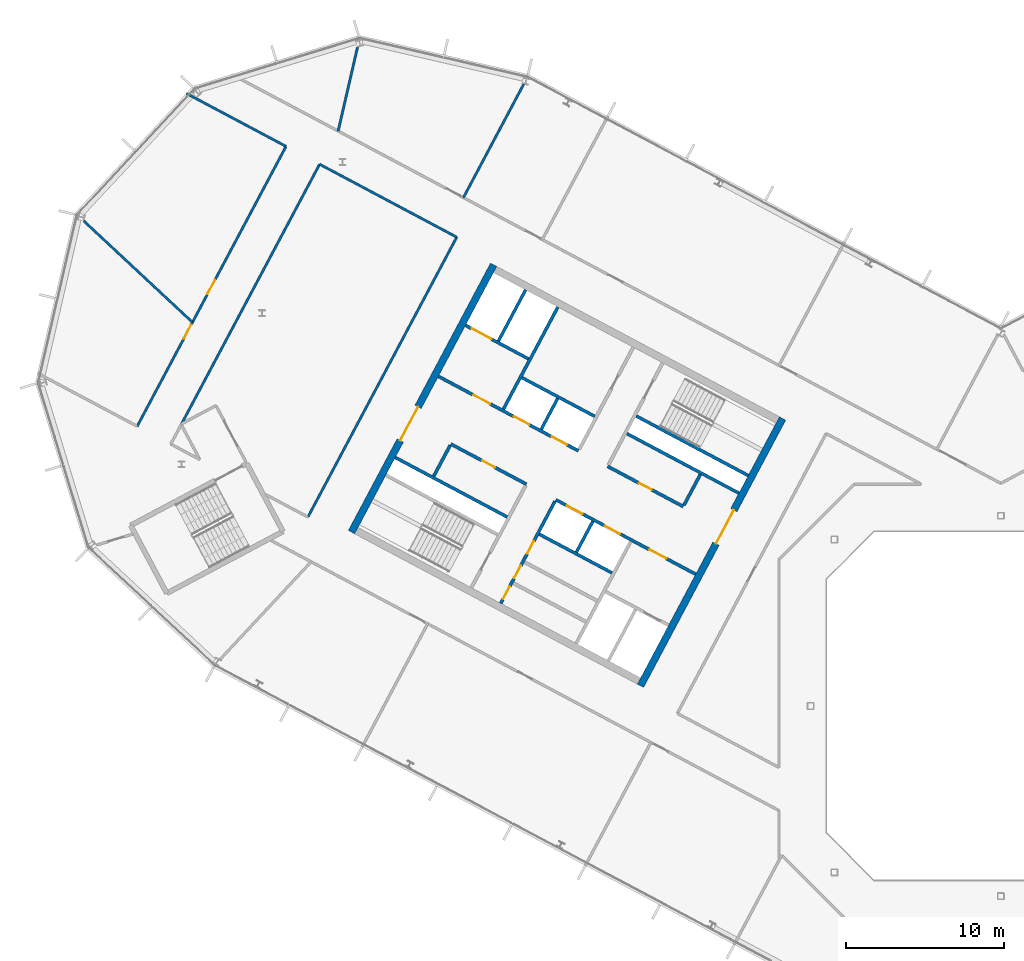
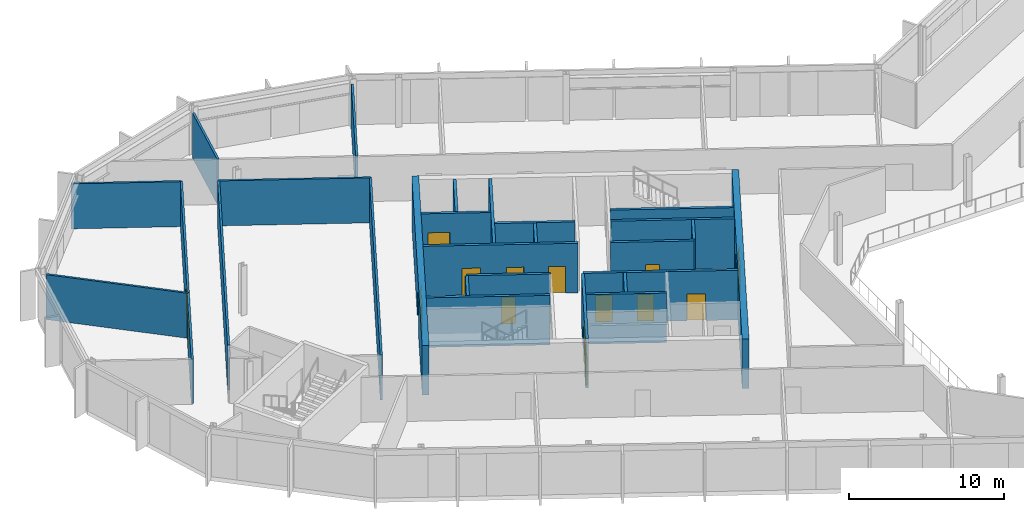
# One storey, part 14 of 26: 27 walls, 16 doors, 16 openings.
"""IFC4 building model written with IfcOpenShell, lengths in metres."""

from ifc_helpers import new_model, si_unit, direction, frame, frame_2d, origin, place, context, subcontext, project, spatial, rectangle, extrude, material, layer, layer_set, type_object, element, fill, save


model = new_model("IFC4")

# Units and contexts
model_context = context("Model", 3, precision=1e-05, world=origin(), true_north=direction((0.0, 1.0)))
body_context = subcontext(model_context, "Body", "Model", "MODEL_VIEW")
ifc_project = project(units=[si_unit("LENGTHUNIT", "METRE"), si_unit("AREAUNIT", "SQUARE_METRE"), si_unit("VOLUMEUNIT", "CUBIC_METRE"), si_unit("PLANEANGLEUNIT", "RADIAN"), si_unit("MASSUNIT", "GRAM", prefix="KILO")], contexts=[model_context])

# Site, building, storey
site_placement = place(None, origin())
site = spatial("IfcSite", under=ifc_project, at=site_placement, CompositionType="ELEMENT")
building_placement = place(site_placement, origin())
building = spatial("IfcBuilding", under=site, at=building_placement, Name="Cormorant Relay Tower", CompositionType="ELEMENT")
storey_placement = place(building_placement, frame((0.0, 0.0, 269.699951171875)))
storey = spatial("IfcBuildingStorey", under=building, at=storey_placement, Name="L60", CompositionType="ELEMENT", Elevation=269.699951171875)

# Walls
ifc_material_1 = material(Name="Concrete 40 MPa", Category="concrete")
ifc_layer_1 = layer(ifc_material_1, 0.199951171875)
ifc_layer_set_1 = layer_set([ifc_layer_1], Name="Core internal wall 200")
wall_type_1 = type_object("IfcWallType", Name="Core internal wall 200", PredefinedType="SOLIDWALL", material=ifc_layer_set_1)
wall_1_placement = place(storey_placement, frame((-25.744140625, 11.64990234375, 0.0), z_axis=(0.0, 0.0, 1.0), x_axis=(-0.469487830541, -0.882938942948, 0.0)))
element("IfcWall", 1, at=wall_1_placement, inside=storey, type_object=wall_type_1, Name="L60 core A shaft and room wall", PredefinedType="SOLIDWALL", context=body_context, shape_type="SweptSolid", body=[
    extrude(rectangle(XDim=2.2001953125, YDim=0.199951171875, at=frame_2d((1.10009765625, 0.0))), origin(), (0.0, 0.0, 1.0), 3.900146484375),
])
wall_2_placement = place(storey_placement, frame((-27.9658203125, 19.39990234375, 0.0), z_axis=(0.0, 0.0, 1.0), x_axis=(-0.4694473164, -0.882960484464, 0.0)))
element("IfcWall", 2, at=wall_2_placement, inside=storey, type_object=wall_type_1, Name="L60 core A shaft and room wall", PredefinedType="SOLIDWALL", context=body_context, shape_type="SweptSolid", body=[
    extrude(rectangle(XDim=2.199951171875, YDim=0.199951171875, at=frame_2d((1.10009765625, 0.0))), origin(), (0.0, 0.0, 1.0), 3.900146484375),
])
ifc_material_2 = material(Name="Concrete 50 MPa", Category="concrete")
ifc_layer_2 = layer(ifc_material_2, 0.199951171875)
ifc_layer_set_2 = layer_set([ifc_layer_2], Name="Core shaft wall 200")
wall_type_2 = type_object("IfcWallType", Name="Core shaft wall 200", PredefinedType="SHEAR", material=ifc_layer_set_2)
wall_3_placement = place(storey_placement, frame((-18.959716796875, 14.611328125, 0.0), z_axis=(0.0, 0.0, 1.0), x_axis=(-0.4694473164, -0.882960484464, 0.0)))
element("IfcWall", 3, at=wall_3_placement, inside=storey, type_object=wall_type_2, Name="L60 core A shaft wall", PredefinedType="SHEAR", context=body_context, shape_type="SweptSolid", body=[
    extrude(rectangle(XDim=2.199951171875, YDim=0.199951171875, at=frame_2d((1.10009765625, 0.0))), origin(), (0.0, 0.0, 1.0), 3.900146484375),
])

# Wall, openings, doors
wall_4_placement = place(storey_placement, frame((-28.128173828125, 12.91748046875, 0.0), z_axis=(0.0, 0.0, 1.0), x_axis=(-0.469454336211, -0.882956752176, 0.0)))
wall_4 = element("IfcWall", 4, at=wall_4_placement, inside=storey, type_object=wall_type_2, Name="L60 core A shaft wall", PredefinedType="SHEAR", context=body_context, shape_type="SweptSolid", body=[
    extrude(rectangle(XDim=7.300048828125, YDim=0.199951171875, at=frame_2d((3.64990234375, 0.0))), origin(), (0.0, 0.0, 1.0), 3.900146484375),
])
opening_1_placement = place(wall_4_placement, frame((2.85009765625, 0.0, 0.0)))
opening_1 = element("IfcOpeningElement", 5, at=opening_1_placement, cuts=wall_4, Name="Opening CDD-289", PredefinedType="OPENING", context=body_context, shape_type="SweptSolid", body=[
    extrude(rectangle(XDim=0.89990234375, YDim=2.10009765625, at=frame_2d((0.449951171875, 1.050048828125))), frame((0.0, 0.10986328125, 0.0), z_axis=(0.0, -1.0, 0.0), x_axis=(1.0, 0.0, 0.0)), (0.0, 0.0, 1.0), 0.219970703125),
])
opening_2_placement = place(wall_4_placement, frame((4.60009765625, 0.0, 0.0)))
opening_2 = element("IfcOpeningElement", 6, at=opening_2_placement, cuts=wall_4, Name="Opening CDD-290", PredefinedType="OPENING", context=body_context, shape_type="SweptSolid", body=[
    extrude(rectangle(XDim=0.89990234375, YDim=2.10009765625, at=frame_2d((0.449951171875, 1.050048828125))), frame((0.0, 0.10986328125, 0.0), z_axis=(0.0, -1.0, 0.0), x_axis=(1.0, 0.0, 0.0)), (0.0, 0.0, 1.0), 0.219970703125),
])
opening_3_placement = place(wall_4_placement, frame((6.10009765625, 0.0, 0.0)))
opening_3 = element("IfcOpeningElement", 7, at=opening_3_placement, cuts=wall_4, Name="Opening CDD-291", PredefinedType="OPENING", context=body_context, shape_type="SweptSolid", body=[
    extrude(rectangle(XDim=0.89990234375, YDim=2.10009765625, at=frame_2d((0.449951171875, 1.050048828125))), frame((0.0, 0.10986328125, 0.0), z_axis=(0.0, -1.0, 0.0), x_axis=(1.0, 0.0, 0.0)), (0.0, 0.0, 1.0), 0.219970703125),
])
ifc_material_3 = material(Name="Steel fire door", Category="steel")
door_type_1 = type_object("IfcDoorType", Name="Core room door 900x2100", OperationType="SINGLE_SWING_LEFT", PredefinedType="DOOR", material=ifc_material_3)
door_1_placement = place(opening_1_placement, origin())
door_1 = element("IfcDoor", 8, at=door_1_placement, inside=storey, type_object=door_type_1, Name="Core room door 900x2100", OperationType="SINGLE_SWING_LEFT", OverallHeight=2.10009765625, OverallWidth=0.89990234375, PredefinedType="DOOR", context=body_context, shape_type="SweptSolid", body=[
    extrude(rectangle(XDim=0.89990234375, YDim=2.10009765625, at=frame_2d((0.449951171875, 1.050048828125))), frame((0.0, 0.02490234375, 0.0), z_axis=(0.0, -1.0, 0.0), x_axis=(1.0, 0.0, 0.0)), (0.0, 0.0, 1.0), 0.050048828125),
])
fill(opening_1, door_1)
door_2_placement = place(opening_2_placement, origin())
door_2 = element("IfcDoor", 9, at=door_2_placement, inside=storey, type_object=door_type_1, Name="Core room door 900x2100", OperationType="SINGLE_SWING_LEFT", OverallHeight=2.10009765625, OverallWidth=0.89990234375, PredefinedType="DOOR", context=body_context, shape_type="SweptSolid", body=[
    extrude(rectangle(XDim=0.89990234375, YDim=2.10009765625, at=frame_2d((0.449951171875, 1.050048828125))), frame((0.0, 0.02490234375, 0.0), z_axis=(0.0, -1.0, 0.0), x_axis=(1.0, 0.0, 0.0)), (0.0, 0.0, 1.0), 0.050048828125),
])
fill(opening_2, door_2)
door_3_placement = place(opening_3_placement, origin())
door_3 = element("IfcDoor", 10, at=door_3_placement, inside=storey, type_object=door_type_1, Name="Core room door 900x2100", OperationType="SINGLE_SWING_LEFT", OverallHeight=2.10009765625, OverallWidth=0.89990234375, PredefinedType="DOOR", context=body_context, shape_type="SweptSolid", body=[
    extrude(rectangle(XDim=0.89990234375, YDim=2.10009765625, at=frame_2d((0.449951171875, 1.050048828125))), frame((0.0, 0.02490234375, 0.0), z_axis=(0.0, -1.0, 0.0), x_axis=(1.0, 0.0, 0.0)), (0.0, 0.0, 1.0), 0.050048828125),
])
fill(opening_3, door_3)

# Walls
wall_5_placement = place(storey_placement, frame((-27.955322265625, 25.170654296875, 0.0), z_axis=(0.0, 0.0, 1.0), x_axis=(-0.469480409012, -0.88294288918, 0.0)))
element("IfcWall", 11, at=wall_5_placement, inside=storey, type_object=wall_type_2, Name="L60 core A shaft wall", PredefinedType="SHEAR", context=body_context, shape_type="SweptSolid", body=[
    extrude(rectangle(XDim=7.300048828125, YDim=0.199951171875, at=frame_2d((3.64990234375, 0.0))), origin(), (0.0, 0.0, 1.0), 3.900146484375),
])
wall_6_placement = place(storey_placement, frame((-34.750244140625, 16.4384765625, 0.0), z_axis=(0.0, 0.0, 1.0), x_axis=(-0.469401318492, -0.882984938828, 0.0)))
element("IfcWall", 12, at=wall_6_placement, inside=storey, type_object=wall_type_2, Name="L60 core A shaft wall", PredefinedType="SHEAR", context=body_context, shape_type="SweptSolid", body=[
    extrude(rectangle(XDim=2.199951171875, YDim=0.199951171875, at=frame_2d((1.10009765625, 0.0))), origin(), (0.0, 0.0, 1.0), 3.900146484375),
])
wall_7_placement = place(storey_placement, frame((-29.986083984375, 26.250244140625, 0.0), z_axis=(0.0, 0.0, 1.0), x_axis=(-0.469494272526, -0.882935517501, 0.0)))
element("IfcWall", 13, at=wall_7_placement, inside=storey, type_object=wall_type_2, Name="L60 core A shaft wall", PredefinedType="SHEAR", context=body_context, shape_type="SweptSolid", body=[
    extrude(rectangle(XDim=3.64990234375, YDim=0.199951171875, at=frame_2d((1.824951171875, 0.0))), origin(), (0.0, 0.0, 1.0), 3.900146484375),
])
wall_8_placement = place(storey_placement, frame((-15.94189453125, 14.53564453125, 0.0), z_axis=(0.0, 0.0, 1.0), x_axis=(-0.882946947542, 0.469472776449, 0.0)))
element("IfcWall", 14, at=wall_8_placement, inside=storey, type_object=wall_type_2, Name="L60 core A shaft wall", PredefinedType="SHEAR", context=body_context, shape_type="SweptSolid", body=[
    extrude(rectangle(XDim=8.000244140625, YDim=0.199951171875, at=frame_2d((4.0, 0.0))), origin(), (0.0, 0.0, 1.0), 3.900146484375),
])

# Wall, opening, door
wall_9_placement = place(storey_placement, frame((-29.80419921875, 21.906494140625, 0.0), z_axis=(0.0, 0.0, 1.0), x_axis=(-0.882960433586, 0.469447412093, 0.0)))
wall_9 = element("IfcWall", 15, at=wall_9_placement, inside=storey, type_object=wall_type_2, Name="L60 core A shaft wall", PredefinedType="SHEAR", context=body_context, shape_type="SweptSolid", body=[
    extrude(rectangle(XDim=4.5, YDim=0.199951171875, at=frame_2d((2.25, 0.0))), origin(), (0.0, 0.0, 1.0), 3.900146484375),
])
opening_4_placement = place(wall_9_placement, frame((2.64990234375, 0.0, 0.0)))
opening_4 = element("IfcOpeningElement", 16, at=opening_4_placement, cuts=wall_9, Name="Opening LD3-015", PredefinedType="OPENING", context=body_context, shape_type="SweptSolid", body=[
    extrude(rectangle(XDim=1.39990234375, YDim=2.39990234375, at=frame_2d((0.699951171875, 1.199951171875))), frame((0.0, 0.10986328125, 0.0), z_axis=(0.0, -1.0, 0.0), x_axis=(1.0, 0.0, 0.0)), (0.0, 0.0, 1.0), 0.219970703125),
])
ifc_material_4 = material(Name="Stainless steel 316", Category="steel")
door_type_2 = type_object("IfcDoorType", Name="Lift landing door 1400x2400", OperationType="DOUBLE_DOOR_SLIDING", PredefinedType="DOOR", material=ifc_material_4)
door_4_placement = place(opening_4_placement, origin())
door_4 = element("IfcDoor", 17, at=door_4_placement, inside=storey, type_object=door_type_2, Name="SV1 landing door", OperationType="DOUBLE_DOOR_SLIDING", OverallHeight=2.39990234375, OverallWidth=1.39990234375, PredefinedType="DOOR", context=body_context, shape_type="SweptSolid", body=[
    extrude(rectangle(XDim=1.39990234375, YDim=2.39990234375, at=frame_2d((0.699951171875, 1.199951171875))), frame((0.0, 0.02490234375, 0.0), z_axis=(0.0, -1.0, 0.0), x_axis=(1.0, 0.0, 0.0)), (0.0, 0.0, 1.0), 0.050048828125),
])
fill(opening_4, door_4)

# Walls
wall_10_placement = place(storey_placement, frame((-16.52880859375, 13.43212890625, 0.0), z_axis=(0.0, 0.0, 1.0), x_axis=(-0.88295287151, 0.469461634952, 0.0)))
element("IfcWall", 18, at=wall_10_placement, inside=storey, type_object=wall_type_2, Name="L60 core A shaft wall", PredefinedType="SHEAR", context=body_context, shape_type="SweptSolid", body=[
    extrude(rectangle(XDim=7.999755859375, YDim=0.199951171875, at=frame_2d((4.0, 0.0))), origin(), (0.0, 0.0, 1.0), 3.900146484375),
])
wall_11_placement = place(storey_placement, frame((-25.623046875, 18.267578125, 0.0), z_axis=(0.0, 0.0, 1.0), x_axis=(-0.882953967957, 0.469459572775, 0.0)))
element("IfcWall", 19, at=wall_11_placement, inside=storey, type_object=wall_type_2, Name="L60 core A shaft wall", PredefinedType="SHEAR", context=body_context, shape_type="SweptSolid", body=[
    extrude(rectangle(XDim=5.199951171875, YDim=0.199951171875, at=frame_2d((2.60009765625, 0.0))), origin(), (0.0, 0.0, 1.0), 3.900146484375),
])

# Wall, opening, door
wall_12_placement = place(storey_placement, frame((-20.03955078125, 12.58056640625, 0.0), z_axis=(0.0, 0.0, 1.0), x_axis=(-0.882942972946, 0.469480251476, 0.0)))
wall_12 = element("IfcWall", 20, at=wall_12_placement, inside=storey, type_object=wall_type_2, Name="L60 core A shaft wall", PredefinedType="SHEAR", context=body_context, shape_type="SweptSolid", body=[
    extrude(rectangle(XDim=5.39990234375, YDim=0.199951171875, at=frame_2d((2.699951171875, 0.0))), origin(), (0.0, 0.0, 1.0), 3.900146484375),
])
opening_5_placement = place(wall_12_placement, frame((2.25, 0.0, 0.0)))
opening_5 = element("IfcOpeningElement", 21, at=opening_5_placement, cuts=wall_12, Name="Opening CDD-319", PredefinedType="OPENING", context=body_context, shape_type="SweptSolid", body=[
    extrude(rectangle(XDim=0.89990234375, YDim=2.10009765625, at=frame_2d((0.449951171875, 1.050048828125))), frame((0.0, 0.10986328125, 0.0), z_axis=(0.0, -1.0, 0.0), x_axis=(1.0, 0.0, 0.0)), (0.0, 0.0, 1.0), 0.219970703125),
])
door_5_placement = place(opening_5_placement, origin())
door_5 = element("IfcDoor", 22, at=door_5_placement, inside=storey, type_object=door_type_1, Name="Core room door 900x2100", OperationType="SINGLE_SWING_LEFT", OverallHeight=2.10009765625, OverallWidth=0.89990234375, PredefinedType="DOOR", context=body_context, shape_type="SweptSolid", body=[
    extrude(rectangle(XDim=0.89990234375, YDim=2.10009765625, at=frame_2d((0.449951171875, 1.050048828125))), frame((0.0, 0.02490234375, 0.0), z_axis=(0.0, -1.0, 0.0), x_axis=(1.0, 0.0, 0.0)), (0.0, 0.0, 1.0), 0.050048828125),
])
fill(opening_5, door_5)

# Wall, openings, doors
wall_13_placement = place(storey_placement, frame((-26.66162109375, 16.1015625, 0.0), z_axis=(0.0, 0.0, 1.0), x_axis=(-0.882940221191, 0.469485426614, 0.0)))
wall_13 = element("IfcWall", 23, at=wall_13_placement, inside=storey, type_object=wall_type_2, Name="L60 core A shaft wall", PredefinedType="SHEAR", context=body_context, shape_type="SweptSolid", body=[
    extrude(rectangle(XDim=10.0, YDim=0.199951171875, at=frame_2d((5.0, 0.0))), origin(), (0.0, 0.0, 1.0), 3.900146484375),
])
opening_6_placement = place(wall_13_placement, frame((6.300048828125, 0.0, 0.0)))
opening_6 = element("IfcOpeningElement", 24, at=opening_6_placement, cuts=wall_13, Name="Opening CDC-034", PredefinedType="OPENING", context=body_context, shape_type="SweptSolid", body=[
    extrude(rectangle(XDim=1.199951171875, YDim=2.10009765625, at=frame_2d((0.60009765625, 1.050048828125))), frame((0.0, 0.10986328125, 0.0), z_axis=(0.0, -1.0, 0.0), x_axis=(1.0, 0.0, 0.0)), (0.0, 0.0, 1.0), 0.219970703125),
])
opening_7_placement = place(wall_13_placement, frame((0.800048828125, 0.0, 0.0)))
opening_7 = element("IfcOpeningElement", 25, at=opening_7_placement, cuts=wall_13, Name="Opening LD1-067", PredefinedType="OPENING", context=body_context, shape_type="SweptSolid", body=[
    extrude(rectangle(XDim=1.10009765625, YDim=2.10009765625, at=frame_2d((0.550048828125, 1.050048828125))), frame((0.0, 0.10986328125, 0.0), z_axis=(0.0, -1.0, 0.0), x_axis=(1.0, 0.0, 0.0)), (0.0, 0.0, 1.0), 0.219970703125),
])
opening_8_placement = place(wall_13_placement, frame((3.5, 0.0, 0.0)))
opening_8 = element("IfcOpeningElement", 26, at=opening_8_placement, cuts=wall_13, Name="Opening LD1-068", PredefinedType="OPENING", context=body_context, shape_type="SweptSolid", body=[
    extrude(rectangle(XDim=1.10009765625, YDim=2.10009765625, at=frame_2d((0.550048828125, 1.050048828125))), frame((0.0, 0.10986328125, 0.0), z_axis=(0.0, -1.0, 0.0), x_axis=(1.0, 0.0, 0.0)), (0.0, 0.0, 1.0), 0.219970703125),
])
ifc_material_5 = material(Name="Steel fire door", Category="steel")
door_type_3 = type_object("IfcDoorType", Name="Core lobby door 1200x2100", OperationType="SINGLE_SWING_LEFT", PredefinedType="DOOR", material=ifc_material_5)
door_6_placement = place(opening_6_placement, origin())
door_6 = element("IfcDoor", 27, at=door_6_placement, inside=storey, type_object=door_type_3, Name="Core lobby door 1200x2100", OperationType="SINGLE_SWING_LEFT", OverallHeight=2.10009765625, OverallWidth=1.199951171875, PredefinedType="DOOR", context=body_context, shape_type="SweptSolid", body=[
    extrude(rectangle(XDim=1.199951171875, YDim=2.10009765625, at=frame_2d((0.60009765625, 1.050048828125))), frame((0.0, 0.02490234375, 0.0), z_axis=(0.0, -1.0, 0.0), x_axis=(1.0, 0.0, 0.0)), (0.0, 0.0, 1.0), 0.050048828125),
])
fill(opening_6, door_6)
ifc_material_6 = material(Name="Stainless steel 316", Category="steel")
door_type_4 = type_object("IfcDoorType", Name="Lift landing door 1100x2100", OperationType="DOUBLE_DOOR_SLIDING", PredefinedType="DOOR", material=ifc_material_6)
door_7_placement = place(opening_7_placement, origin())
door_7 = element("IfcDoor", 28, at=door_7_placement, inside=storey, type_object=door_type_4, Name="HR3 landing door", OperationType="DOUBLE_DOOR_SLIDING", OverallHeight=2.10009765625, OverallWidth=1.10009765625, PredefinedType="DOOR", context=body_context, shape_type="SweptSolid", body=[
    extrude(rectangle(XDim=1.10009765625, YDim=2.10009765625, at=frame_2d((0.550048828125, 1.050048828125))), frame((0.0, 0.02490234375, 0.0), z_axis=(0.0, -1.0, 0.0), x_axis=(1.0, 0.0, 0.0)), (0.0, 0.0, 1.0), 0.050048828125),
])
fill(opening_7, door_7)
door_8_placement = place(opening_8_placement, origin())
door_8 = element("IfcDoor", 29, at=door_8_placement, inside=storey, type_object=door_type_4, Name="HR4 landing door", OperationType="DOUBLE_DOOR_SLIDING", OverallHeight=2.10009765625, OverallWidth=1.10009765625, PredefinedType="DOOR", context=body_context, shape_type="SweptSolid", body=[
    extrude(rectangle(XDim=1.10009765625, YDim=2.10009765625, at=frame_2d((0.550048828125, 1.050048828125))), frame((0.0, 0.02490234375, 0.0), z_axis=(0.0, -1.0, 0.0), x_axis=(1.0, 0.0, 0.0)), (0.0, 0.0, 1.0), 0.050048828125),
])
fill(opening_8, door_8)

wall_14_placement = place(storey_placement, frame((-19.251708984375, 8.31103515625, 0.0), z_axis=(0.0, 0.0, 1.0), x_axis=(-0.882955722218, 0.469456273365, 0.0)))
wall_14 = element("IfcWall", 30, at=wall_14_placement, inside=storey, type_object=wall_type_2, Name="L60 core A shaft wall", PredefinedType="SHEAR", context=body_context, shape_type="SweptSolid", body=[
    extrude(rectangle(XDim=10.0, YDim=0.199951171875, at=frame_2d((5.0, 0.0))), origin(), (0.0, 0.0, 1.0), 3.900146484375),
])
opening_9_placement = place(wall_14_placement, frame((2.10009765625, 0.0, 0.0)))
opening_9 = element("IfcOpeningElement", 31, at=opening_9_placement, cuts=wall_14, Name="Opening CDC-033", PredefinedType="OPENING", context=body_context, shape_type="SweptSolid", body=[
    extrude(rectangle(XDim=1.199951171875, YDim=2.10009765625, at=frame_2d((0.60009765625, 1.050048828125))), frame((0.0, 0.10986328125, 0.0), z_axis=(0.0, -1.0, 0.0), x_axis=(1.0, 0.0, 0.0)), (0.0, 0.0, 1.0), 0.219970703125),
])
opening_10_placement = place(wall_14_placement, frame((5.39990234375, 0.0, 0.0)))
opening_10 = element("IfcOpeningElement", 32, at=opening_10_placement, cuts=wall_14, Name="Opening LD1-065", PredefinedType="OPENING", context=body_context, shape_type="SweptSolid", body=[
    extrude(rectangle(XDim=1.10009765625, YDim=2.10009765625, at=frame_2d((0.550048828125, 1.050048828125))), frame((0.0, 0.10986328125, 0.0), z_axis=(0.0, -1.0, 0.0), x_axis=(1.0, 0.0, 0.0)), (0.0, 0.0, 1.0), 0.219970703125),
])
opening_11_placement = place(wall_14_placement, frame((8.10009765625, 0.0, 0.0)))
opening_11 = element("IfcOpeningElement", 33, at=opening_11_placement, cuts=wall_14, Name="Opening LD1-066", PredefinedType="OPENING", context=body_context, shape_type="SweptSolid", body=[
    extrude(rectangle(XDim=1.10009765625, YDim=2.10009765625, at=frame_2d((0.550048828125, 1.050048828125))), frame((0.0, 0.10986328125, 0.0), z_axis=(0.0, -1.0, 0.0), x_axis=(1.0, 0.0, 0.0)), (0.0, 0.0, 1.0), 0.219970703125),
])
door_9_placement = place(opening_9_placement, origin())
door_9 = element("IfcDoor", 34, at=door_9_placement, inside=storey, type_object=door_type_3, Name="Core lobby door 1200x2100", OperationType="SINGLE_SWING_RIGHT", OverallHeight=2.10009765625, OverallWidth=1.199951171875, PredefinedType="DOOR", context=body_context, shape_type="SweptSolid", body=[
    extrude(rectangle(XDim=1.199951171875, YDim=2.10009765625, at=frame_2d((0.60009765625, 1.050048828125))), frame((0.0, 0.02490234375, 0.0), z_axis=(0.0, -1.0, 0.0), x_axis=(1.0, 0.0, 0.0)), (0.0, 0.0, 1.0), 0.050048828125),
])
fill(opening_9, door_9)
door_10_placement = place(opening_10_placement, origin())
door_10 = element("IfcDoor", 35, at=door_10_placement, inside=storey, type_object=door_type_4, Name="HR1 landing door", OperationType="DOUBLE_DOOR_SLIDING", OverallHeight=2.10009765625, OverallWidth=1.10009765625, PredefinedType="DOOR", context=body_context, shape_type="SweptSolid", body=[
    extrude(rectangle(XDim=1.10009765625, YDim=2.10009765625, at=frame_2d((0.550048828125, 1.050048828125))), frame((0.0, 0.02490234375, 0.0), z_axis=(0.0, -1.0, 0.0), x_axis=(1.0, 0.0, 0.0)), (0.0, 0.0, 1.0), 0.050048828125),
])
fill(opening_10, door_10)
door_11_placement = place(opening_11_placement, origin())
door_11 = element("IfcDoor", 36, at=door_11_placement, inside=storey, type_object=door_type_4, Name="HR2 landing door", OperationType="DOUBLE_DOOR_SLIDING", OverallHeight=2.10009765625, OverallWidth=1.10009765625, PredefinedType="DOOR", context=body_context, shape_type="SweptSolid", body=[
    extrude(rectangle(XDim=1.10009765625, YDim=2.10009765625, at=frame_2d((0.550048828125, 1.050048828125))), frame((0.0, 0.02490234375, 0.0), z_axis=(0.0, -1.0, 0.0), x_axis=(1.0, 0.0, 0.0)), (0.0, 0.0, 1.0), 0.050048828125),
])
fill(opening_11, door_11)

# Wall, opening, door
wall_15_placement = place(storey_placement, frame((-29.935302734375, 13.991455078125, 0.0), z_axis=(0.0, 0.0, 1.0), x_axis=(-0.882952937579, 0.469461510692, 0.0)))
wall_15 = element("IfcWall", 37, at=wall_15_placement, inside=storey, type_object=wall_type_2, Name="L60 core A shaft wall", PredefinedType="SHEAR", context=body_context, shape_type="SweptSolid", body=[
    extrude(rectangle(XDim=5.400146484375, YDim=0.199951171875, at=frame_2d((2.7001953125, 0.0))), origin(), (0.0, 0.0, 1.0), 3.900146484375),
])
opening_12_placement = place(wall_15_placement, frame((2.25, 0.0, 0.0)))
opening_12 = element("IfcOpeningElement", 38, at=opening_12_placement, cuts=wall_15, Name="Opening CDD-318", PredefinedType="OPENING", context=body_context, shape_type="SweptSolid", body=[
    extrude(rectangle(XDim=0.89990234375, YDim=2.10009765625, at=frame_2d((0.449951171875, 1.050048828125))), frame((0.0, 0.10986328125, 0.0), z_axis=(0.0, -1.0, 0.0), x_axis=(1.0, 0.0, 0.0)), (0.0, 0.0, 1.0), 0.219970703125),
])
door_12_placement = place(opening_12_placement, origin())
door_12 = element("IfcDoor", 39, at=door_12_placement, inside=storey, type_object=door_type_1, Name="Core room door 900x2100", OperationType="SINGLE_SWING_LEFT", OverallHeight=2.10009765625, OverallWidth=0.89990234375, PredefinedType="DOOR", context=body_context, shape_type="SweptSolid", body=[
    extrude(rectangle(XDim=0.89990234375, YDim=2.10009765625, at=frame_2d((0.449951171875, 1.050048828125))), frame((0.0, 0.02490234375, 0.0), z_axis=(0.0, -1.0, 0.0), x_axis=(1.0, 0.0, 0.0)), (0.0, 0.0, 1.0), 0.050048828125),
])
fill(opening_12, door_12)

# Walls
wall_16_placement = place(storey_placement, frame((-24.5283203125, 8.3984375, 0.0), z_axis=(0.0, 0.0, 1.0), x_axis=(-0.882953967957, 0.469459572775, 0.0)))
element("IfcWall", 40, at=wall_16_placement, inside=storey, type_object=wall_type_2, Name="L60 core A shaft wall", PredefinedType="SHEAR", context=body_context, shape_type="SweptSolid", body=[
    extrude(rectangle(XDim=5.199951171875, YDim=0.199951171875, at=frame_2d((2.60009765625, 0.0))), origin(), (0.0, 0.0, 1.0), 3.900146484375),
])
wall_17_placement = place(storey_placement, frame((-31.150390625, 11.91943359375, 0.0), z_axis=(0.0, 0.0, 1.0), x_axis=(-0.882940221191, 0.469485426614, 0.0)))
element("IfcWall", 41, at=wall_17_placement, inside=storey, type_object=wall_type_2, Name="L60 core A shaft wall", PredefinedType="SHEAR", context=body_context, shape_type="SweptSolid", body=[
    extrude(rectangle(XDim=8.0, YDim=0.199951171875, at=frame_2d((4.0, 0.0))), origin(), (0.0, 0.0, 1.0), 3.900146484375),
])

# Wall, opening, door
ifc_material_7 = material(Name="Concrete 50 MPa", Category="concrete")
ifc_layer_3 = layer(ifc_material_7, 0.449951171875)
ifc_layer_set_3 = layer_set([ifc_layer_3], Name="Core wall 450")
wall_type_3 = type_object("IfcWallType", Name="Core wall 450", PredefinedType="SHEAR", material=ifc_layer_set_3)
wall_18_placement = place(storey_placement, frame((-13.771484375, 18.138427734375, 0.0), z_axis=(0.0, 0.0, 1.0), x_axis=(-0.469467968382, -0.882949504028, 0.0)))
wall_18 = element("IfcWall", 42, at=wall_18_placement, inside=storey, type_object=wall_type_3, Name="L60 core A wall", PredefinedType="SHEAR", context=body_context, shape_type="SweptSolid", body=[
    extrude(rectangle(XDim=19.099853515625, YDim=0.449951171875, at=frame_2d((9.5498046875, 0.0))), origin(), (0.0, 0.0, 1.0), 3.900146484375),
])
opening_13_placement = place(wall_18_placement, frame((6.550048828125, 0.0, 0.0)))
opening_13 = element("IfcOpeningElement", 43, at=opening_13_placement, cuts=wall_18, Name="Opening CDA-054", PredefinedType="OPENING", context=body_context, shape_type="SweptSolid", body=[
    extrude(rectangle(XDim=2.39990234375, YDim=2.39990234375, at=frame_2d((1.199951171875, 1.199951171875))), frame((0.0, 0.23486328125, 0.0), z_axis=(0.0, -1.0, 0.0), x_axis=(1.0, 0.0, 0.0)), (0.0, 0.0, 1.0), 0.469970703125),
])
ifc_material_8 = material(Name="Steel fire door", Category="steel")
door_type_5 = type_object("IfcDoorType", Name="Core lobby door 2400x2400", OperationType="DOUBLE_DOOR_SINGLE_SWING", PredefinedType="DOOR", material=ifc_material_8)
door_13_placement = place(opening_13_placement, frame((2.39990234375, 0.0, 0.0), z_axis=(0.0, 0.0, 1.0), x_axis=(-1.0, 0.0, 0.0)))
door_13 = element("IfcDoor", 44, at=door_13_placement, inside=storey, type_object=door_type_5, Name="Core lobby door 2400x2400", OperationType="DOUBLE_DOOR_SINGLE_SWING", OverallHeight=2.39990234375, OverallWidth=2.39990234375, PredefinedType="DOOR", context=body_context, shape_type="SweptSolid", body=[
    extrude(rectangle(XDim=2.39990234375, YDim=2.39990234375, at=frame_2d((1.199951171875, 1.199951171875))), frame((0.0, 0.02490234375, 0.0), z_axis=(0.0, -1.0, 0.0), x_axis=(1.0, 0.0, 0.0)), (0.0, 0.0, 1.0), 0.050048828125),
])
fill(opening_13, door_13)

wall_19_placement = place(storey_placement, frame((-32.00439453125, 27.8330078125, 0.0), z_axis=(0.0, 0.0, 1.0), x_axis=(-0.469467968382, -0.882949504028, 0.0)))
wall_19 = element("IfcWall", 45, at=wall_19_placement, inside=storey, type_object=wall_type_3, Name="L60 core A wall", PredefinedType="SHEAR", context=body_context, shape_type="SweptSolid", body=[
    extrude(rectangle(XDim=19.099853515625, YDim=0.449951171875, at=frame_2d((9.5498046875, 0.0))), origin(), (0.0, 0.0, 1.0), 3.900146484375),
])
opening_14_placement = place(wall_19_placement, frame((10.14990234375, 0.0, 0.0)))
opening_14 = element("IfcOpeningElement", 46, at=opening_14_placement, cuts=wall_19, Name="Opening CDA-051", PredefinedType="OPENING", context=body_context, shape_type="SweptSolid", body=[
    extrude(rectangle(XDim=2.39990234375, YDim=2.39990234375, at=frame_2d((1.199951171875, 1.199951171875))), frame((0.0, 0.23486328125, 0.0), z_axis=(0.0, -1.0, 0.0), x_axis=(1.0, 0.0, 0.0)), (0.0, 0.0, 1.0), 0.469970703125),
])
door_14_placement = place(opening_14_placement, origin())
door_14 = element("IfcDoor", 47, at=door_14_placement, inside=storey, type_object=door_type_5, Name="Core lobby door 2400x2400", OperationType="DOUBLE_DOOR_SINGLE_SWING", OverallHeight=2.39990234375, OverallWidth=2.39990234375, PredefinedType="DOOR", context=body_context, shape_type="SweptSolid", body=[
    extrude(rectangle(XDim=2.39990234375, YDim=2.39990234375, at=frame_2d((1.199951171875, 1.199951171875))), frame((0.0, 0.02490234375, 0.0), z_axis=(0.0, -1.0, 0.0), x_axis=(1.0, 0.0, 0.0)), (0.0, 0.0, 1.0), 0.050048828125),
])
fill(opening_14, door_14)

# Wall, openings, doors
ifc_material_9 = material(Name="Gypsum board fire partition")
ifc_layer_4 = layer(ifc_material_9, 0.14990234375)
ifc_layer_set_4 = layer_set([ifc_layer_4], Name="Corridor partition 150 EI 60")
wall_type_4 = type_object("IfcWallType", Name="Corridor partition 150 EI 60", PredefinedType="PARTITIONING", material=ifc_layer_set_4)
wall_20_placement = place(storey_placement, frame((-54.492919921875, 17.64892578125, 0.0), z_axis=(0.0, 0.0, 1.0), x_axis=(0.469446756585, 0.882960782103, 0.0)))
wall_20 = element("IfcWall", 48, at=wall_20_placement, inside=storey, type_object=wall_type_4, Name="wall/L60/part/001", PredefinedType="PARTITIONING", context=body_context, shape_type="SweptSolid", body=[
    extrude(rectangle(XDim=20.0, YDim=0.14990234375, at=frame_2d((10.0, 0.0))), origin(), (0.0, 0.0, 1.0), 3.5400390625),
])
opening_15_placement = place(wall_20_placement, frame((9.449951171875, 0.0, 0.0)))
opening_15 = element("IfcOpeningElement", 49, at=opening_15_placement, cuts=wall_20, Name="Opening DS-200", PredefinedType="OPENING", context=body_context, shape_type="SweptSolid", body=[
    extrude(rectangle(XDim=1.0, YDim=2.10009765625, at=frame_2d((0.5, 1.050048828125))), frame((0.0, 0.0849609375, 0.0), z_axis=(0.0, -1.0, 0.0), x_axis=(1.0, 0.0, 0.0)), (0.0, 0.0, 1.0), 0.169921875),
])
opening_16_placement = place(wall_20_placement, frame((6.25, 0.0, 0.0)))
opening_16 = element("IfcOpeningElement", 50, at=opening_16_placement, cuts=wall_20, Name="Opening DS-201", PredefinedType="OPENING", context=body_context, shape_type="SweptSolid", body=[
    extrude(rectangle(XDim=1.0, YDim=2.10009765625, at=frame_2d((0.5, 1.050048828125))), frame((0.0, 0.0849609375, 0.0), z_axis=(0.0, -1.0, 0.0), x_axis=(1.0, 0.0, 0.0)), (0.0, 0.0, 1.0), 0.169921875),
])
ifc_material_10 = material(Name="Timber door leaf", Category="wood")
door_type_6 = type_object("IfcDoorType", Name="Suite door 1000x2100", OperationType="SINGLE_SWING_LEFT", PredefinedType="DOOR", material=ifc_material_10)
door_15_placement = place(opening_15_placement, origin())
door_15 = element("IfcDoor", 51, at=door_15_placement, inside=storey, type_object=door_type_6, Name="door/L60/001", OperationType="SINGLE_SWING_RIGHT", OverallHeight=2.10009765625, OverallWidth=1.0, PredefinedType="DOOR", context=body_context, shape_type="SweptSolid", body=[
    extrude(rectangle(XDim=1.0, YDim=2.10009765625, at=frame_2d((0.5, 1.050048828125))), frame((0.0, 0.02490234375, 0.0), z_axis=(0.0, -1.0, 0.0), x_axis=(1.0, 0.0, 0.0)), (0.0, 0.0, 1.0), 0.050048828125),
])
fill(opening_15, door_15)
door_16_placement = place(opening_16_placement, origin())
door_16 = element("IfcDoor", 52, at=door_16_placement, inside=storey, type_object=door_type_6, Name="door/L60/002", OperationType="SINGLE_SWING_RIGHT", OverallHeight=2.10009765625, OverallWidth=1.0, PredefinedType="DOOR", context=body_context, shape_type="SweptSolid", body=[
    extrude(rectangle(XDim=1.0, YDim=2.10009765625, at=frame_2d((0.5, 1.050048828125))), frame((0.0, 0.02490234375, 0.0), z_axis=(0.0, -1.0, 0.0), x_axis=(1.0, 0.0, 0.0)), (0.0, 0.0, 1.0), 0.050048828125),
])
fill(opening_16, door_16)

# Walls
wall_21_placement = place(storey_placement, frame((-45.10400390625, 35.30810546875, 0.0), z_axis=(0.0, 0.0, 1.0), x_axis=(-0.883009246848, 0.469355590125, 0.0)))
element("IfcWall", 53, at=wall_21_placement, inside=storey, type_object=wall_type_4, Name="wall/L60/part/002", PredefinedType="PARTITIONING", context=body_context, shape_type="SweptSolid", body=[
    extrude(rectangle(XDim=7.126708984375, YDim=0.14990234375, at=frame_2d((3.5634765625, 0.0))), origin(), (0.0, 0.0, 1.0), 3.5400390625),
])
wall_22_placement = place(storey_placement, frame((-51.695068359375, 17.798095703125, 0.0), z_axis=(0.0, 0.0, 1.0), x_axis=(0.469483567396, 0.88294120979, 0.0)))
element("IfcWall", 54, at=wall_22_placement, inside=storey, type_object=wall_type_4, Name="wall/L60/part/012", PredefinedType="PARTITIONING", context=body_context, shape_type="SweptSolid", body=[
    extrude(rectangle(XDim=18.554931640625, YDim=0.14990234375, at=frame_2d((9.27734375, 0.0))), origin(), (0.0, 0.0, 1.0), 3.5400390625),
])
wall_23_placement = place(storey_placement, frame((-42.98388671875, 34.180908203125, 0.0), z_axis=(0.0, 0.0, 1.0), x_axis=(0.882924032888, -0.469515869964, 0.0)))
element("IfcWall", 55, at=wall_23_placement, inside=storey, type_object=wall_type_4, Name="wall/L60/part/013", PredefinedType="PARTITIONING", context=body_context, shape_type="SweptSolid", body=[
    extrude(rectangle(XDim=9.799072265625, YDim=0.14990234375, at=frame_2d((4.8994140625, 0.0))), origin(), (0.0, 0.0, 1.0), 3.5400390625),
])
wall_24_placement = place(storey_placement, frame((-34.33203125, 29.580078125, 0.0), z_axis=(0.0, 0.0, 1.0), x_axis=(-0.469446756585, -0.882960782103, 0.0)))
element("IfcWall", 56, at=wall_24_placement, inside=storey, type_object=wall_type_4, Name="wall/L60/part/014", PredefinedType="PARTITIONING", context=body_context, shape_type="SweptSolid", body=[
    extrude(rectangle(XDim=20.0, YDim=0.14990234375, at=frame_2d((10.0, 0.0))), origin(), (0.0, 0.0, 1.0), 3.5400390625),
])
ifc_material_11 = material(Name="Gypsum board partition")
ifc_layer_5 = layer(ifc_material_11, 0.14990234375)
ifc_layer_set_5 = layer_set([ifc_layer_5], Name="Tenant partition 150")
wall_type_5 = type_object("IfcWallType", Name="Tenant partition 150", PredefinedType="PARTITIONING", material=ifc_layer_set_5)
wall_25_placement = place(storey_placement, frame((-57.8720703125, 30.60791015625, 0.0), z_axis=(0.0, 0.0, 1.0), x_axis=(0.731446083693, -0.681899278963, 0.0)))
element("IfcWall", 57, at=wall_25_placement, inside=storey, type_object=wall_type_5, Name="wall/L60/part/003", PredefinedType="PARTITIONING", context=body_context, shape_type="SweptSolid", body=[
    extrude(rectangle(XDim=9.38671875, YDim=0.14990234375, at=frame_2d((4.693359375, 0.0))), origin(), (0.0, 0.0, 1.0), 3.5400390625),
])
wall_26_placement = place(storey_placement, frame((-30.097900390625, 39.2470703125, 0.0), z_axis=(0.0, 0.0, 1.0), x_axis=(-0.469424042577, -0.882972858162, 0.0)))
element("IfcWall", 58, at=wall_26_placement, inside=storey, type_object=wall_type_5, Name="wall/L60/part/017", PredefinedType="PARTITIONING", context=body_context, shape_type="SweptSolid", body=[
    extrude(rectangle(XDim=8.122802734375, YDim=0.14990234375, at=frame_2d((4.0615234375, 0.0))), origin(), (0.0, 0.0, 1.0), 3.5400390625),
])
wall_27_placement = place(storey_placement, frame((-41.81298828125, 36.27587890625, 0.0), z_axis=(0.0, 0.0, 1.0), x_axis=(0.224866064011, 0.974389682445, 0.0)))
element("IfcWall", 59, at=wall_27_placement, inside=storey, type_object=wall_type_5, Name="wall/L60/part/018", PredefinedType="PARTITIONING", context=body_context, shape_type="SweptSolid", body=[
    extrude(rectangle(XDim=5.438232421875, YDim=0.14990234375, at=frame_2d((2.71923828125, 0.0))), origin(), (0.0, 0.0, 1.0), 3.5400390625),
])

save(model, "model.ifc")
